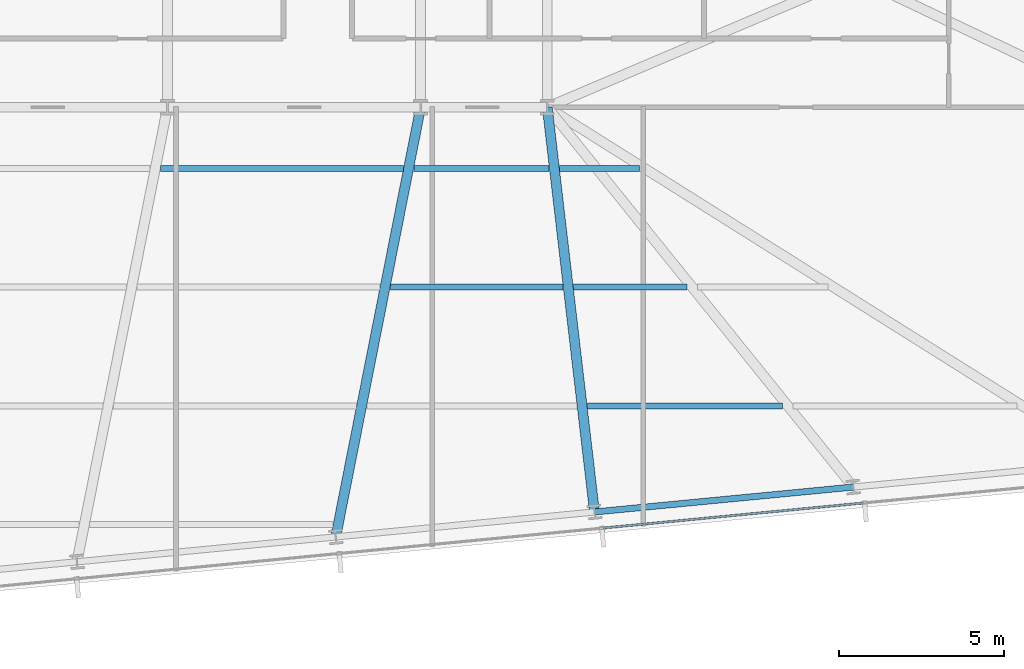
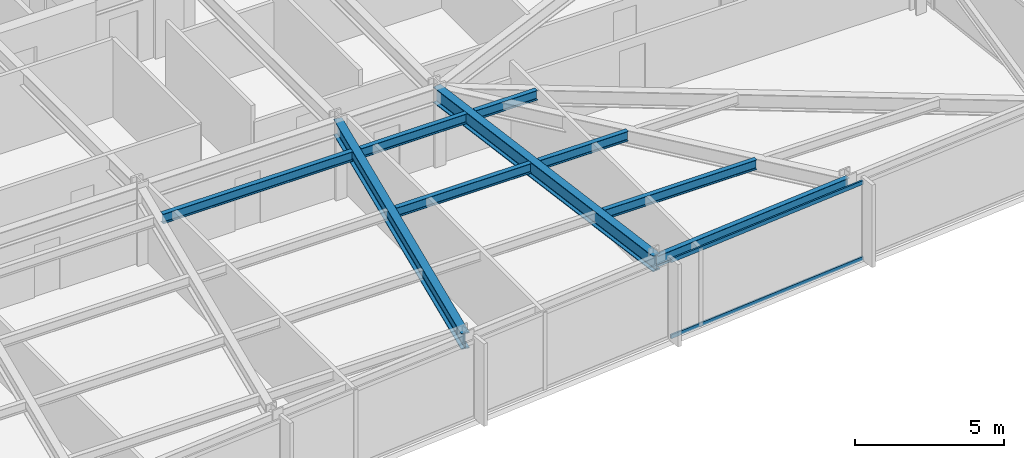
# One storey, part 11 of 32: 9 beams, 2 members, 1 element without a shape of its own.
"""IFC4 building model written with IfcOpenShell, lengths in metres."""

from ifc_helpers import new_model, si_unit, direction, frame, origin, origin_2d, place, context, subcontext, project, spatial, hollow_rectangle, i_section, extrude, material, material_profile, profile_set, type_object, element, aggregate, save


model = new_model("IFC4")

# Units and contexts
model_context = context("Model", 3, precision=1e-05, world=origin(), true_north=direction((0.0, 1.0)))
body_context = subcontext(model_context, "Body", "Model", "MODEL_VIEW")
ifc_project = project(units=[si_unit("LENGTHUNIT", "METRE"), si_unit("AREAUNIT", "SQUARE_METRE"), si_unit("VOLUMEUNIT", "CUBIC_METRE"), si_unit("PLANEANGLEUNIT", "RADIAN"), si_unit("MASSUNIT", "GRAM", prefix="KILO")], contexts=[model_context])

# Site, building, storey
site_placement = place(None, origin())
site = spatial("IfcSite", under=ifc_project, at=site_placement, CompositionType="ELEMENT")
building_placement = place(site_placement, origin())
building = spatial("IfcBuilding", under=site, at=building_placement, Name="Yelkora Congress Tower", CompositionType="ELEMENT")
storey_placement = place(building_placement, frame((0.0, 0.0, 93.10009765625)))
storey = spatial("IfcBuildingStorey", under=building, at=storey_placement, Name="L24", CompositionType="ELEMENT", Elevation=93.10009765625)

# Beams
ifc_material_1 = material(Name="Steel S355J2", Category="steel")
ifc_material_profile_1 = material_profile(ifc_material_1, i_section(OverallWidth=0.300048828125, OverallDepth=0.64990234375, WebThickness=0.01611328125, FlangeThickness=0.031005859375, FilletRadius=0.027099609375, at=origin_2d()), Name="HEB 650")
ifc_profile_set_1 = profile_set([ifc_material_profile_1], Name="Steel S355J2")
beam_type_1 = type_object("IfcBeamType", Name="BM-GIRD-HEB650", PredefinedType="BEAM", material=ifc_profile_set_1)
beam_1_placement = place(storey_placement, frame((51.18359375, 12.16748046875, 2.85498046875), z_axis=(0.193938615251, 0.981013666324, 0.0), x_axis=(-0.981013666324, 0.193938615251, 0.0)))
element("IfcBeam", 1, at=beam_1_placement, inside=storey, type_object=beam_type_1, Name="L24 Primary Frame Girder S05", PredefinedType="BEAM", context=body_context, shape_type="SweptSolid", body=[
    extrude(i_section(OverallWidth=0.300048828125, OverallDepth=0.64990234375, WebThickness=0.01611328125, FlangeThickness=0.031005859375, FilletRadius=0.027099609375, at=origin_2d()), origin(), (0.0, 0.0, 1.0), 13.28466796875),
])
beam_2_placement = place(storey_placement, frame((59.033203125, 12.92333984375, 2.85498046875), z_axis=(-0.115947280821, 0.993255369011, 0.0), x_axis=(-0.993255369011, -0.115947280821, 0.0)))
element("IfcBeam", 2, at=beam_2_placement, inside=storey, type_object=beam_type_1, Name="L24 Primary Frame Girder S06", PredefinedType="BEAM", context=body_context, shape_type="SweptSolid", body=[
    extrude(i_section(OverallWidth=0.300048828125, OverallDepth=0.64990234375, WebThickness=0.01611328125, FlangeThickness=0.031005859375, FilletRadius=0.027099609375, at=origin_2d()), origin(), (0.0, 0.0, 1.0), 12.35986328125),
])
ifc_material_profile_2 = material_profile(ifc_material_1, i_section(OverallWidth=0.179931640625, OverallDepth=0.39990234375, WebThickness=0.008544921875, FlangeThickness=0.013427734375, FilletRadius=0.02099609375, at=origin_2d()), Name="IPE 400")
ifc_profile_set_2 = profile_set([ifc_material_profile_2], Name="Steel S355J2")
beam_type_2 = type_object("IfcBeamType", Name="BM-JOIST-IPE400", PredefinedType="JOIST", material=ifc_profile_set_2)
beam_3_placement = place(storey_placement, frame((58.817138671875, 16.144287109375, 2.97998046875), z_axis=(1.0, 0.0, 0.0), x_axis=(0.0, 1.0, 0.0)))
element("IfcBeam", 3, at=beam_3_placement, inside=storey, type_object=beam_type_2, Name="L24 Composite Floor Joist 9", PredefinedType="JOIST", context=body_context, shape_type="SweptSolid", body=[
    extrude(i_section(OverallWidth=0.179931640625, OverallDepth=0.39990234375, WebThickness=0.008544921875, FlangeThickness=0.013427734375, FilletRadius=0.02099609375, at=origin_2d()), origin(), (0.0, 0.0, 1.0), 5.919189453125),
])
beam_4_placement = place(storey_placement, frame((52.841552734375, 19.744384765625, 2.97998046875), z_axis=(1.0, 0.0, 0.0), x_axis=(0.0, 1.0, 0.0)))
element("IfcBeam", 4, at=beam_4_placement, inside=storey, type_object=beam_type_2, Name="L24 Composite Floor Joist 15", PredefinedType="JOIST", context=body_context, shape_type="SweptSolid", body=[
    extrude(i_section(OverallWidth=0.179931640625, OverallDepth=0.39990234375, WebThickness=0.008544921875, FlangeThickness=0.013427734375, FilletRadius=0.02099609375, at=origin_2d()), origin(), (0.0, 0.0, 1.0), 5.2353515625),
])
beam_5_placement = place(storey_placement, frame((58.39697265625, 19.744384765625, 2.97998046875), z_axis=(1.0, 0.0, 0.0), x_axis=(0.0, 1.0, 0.0)))
element("IfcBeam", 5, at=beam_5_placement, inside=storey, type_object=beam_type_2, Name="L24 Composite Floor Joist 16", PredefinedType="JOIST", context=body_context, shape_type="SweptSolid", body=[
    extrude(i_section(OverallWidth=0.179931640625, OverallDepth=0.39990234375, WebThickness=0.008544921875, FlangeThickness=0.013427734375, FilletRadius=0.02099609375, at=origin_2d()), origin(), (0.0, 0.0, 1.0), 3.438720703125),
])
beam_6_placement = place(storey_placement, frame((45.87060546875, 23.344482421875, 2.97998046875), z_axis=(1.0, 0.0, 0.0), x_axis=(0.0, 1.0, 0.0)))
element("IfcBeam", 6, at=beam_6_placement, inside=storey, type_object=beam_type_2, Name="L24 Composite Floor Joist 21", PredefinedType="JOIST", context=body_context, shape_type="SweptSolid", body=[
    extrude(i_section(OverallWidth=0.179931640625, OverallDepth=0.39990234375, WebThickness=0.008544921875, FlangeThickness=0.013427734375, FilletRadius=0.02099609375, at=origin_2d()), origin(), (0.0, 0.0, 1.0), 7.362548828125),
])
beam_7_placement = place(storey_placement, frame((53.55322265625, 23.344482421875, 2.97998046875), z_axis=(1.0, 0.0, 0.0), x_axis=(0.0, 1.0, 0.0)))
element("IfcBeam", 7, at=beam_7_placement, inside=storey, type_object=beam_type_2, Name="L24 Composite Floor Joist 22", PredefinedType="JOIST", context=body_context, shape_type="SweptSolid", body=[
    extrude(i_section(OverallWidth=0.179931640625, OverallDepth=0.39990234375, WebThickness=0.008544921875, FlangeThickness=0.013427734375, FilletRadius=0.02099609375, at=origin_2d()), origin(), (0.0, 0.0, 1.0), 4.103271484375),
])
beam_8_placement = place(storey_placement, frame((57.9765625, 23.344482421875, 2.97998046875), z_axis=(1.0, 0.0, 0.0), x_axis=(0.0, 1.0, 0.0)))
element("IfcBeam", 8, at=beam_8_placement, inside=storey, type_object=beam_type_2, Name="L24 Composite Floor Joist 23", PredefinedType="JOIST", context=body_context, shape_type="SweptSolid", body=[
    extrude(i_section(OverallWidth=0.179931640625, OverallDepth=0.39990234375, WebThickness=0.008544921875, FlangeThickness=0.013427734375, FilletRadius=0.02099609375, at=origin_2d()), origin(), (0.0, 0.0, 1.0), 2.41650390625),
])
ifc_material_profile_3 = material_profile(ifc_material_1, i_section(OverallWidth=0.18994140625, OverallDepth=0.449951171875, WebThickness=0.009521484375, FlangeThickness=0.0146484375, FilletRadius=0.02099609375, at=origin_2d()), Name="IPE 450")
ifc_profile_set_3 = profile_set([ifc_material_profile_3], Name="Steel S355J2")
beam_type_3 = type_object("IfcBeamType", Name="BM-SPAN-IPE450", PredefinedType="SPANDREL", material=ifc_profile_set_3)
beam_9_placement = place(storey_placement, frame((59.033203125, 12.92333984375, 2.954833984375), z_axis=(0.995395575667, 0.095852219286, 0.0), x_axis=(-0.095852219286, 0.995395575667, 0.0)))
element("IfcBeam", 9, at=beam_9_placement, inside=storey, type_object=beam_type_3, Name="L24 Perimeter Beam 8", PredefinedType="SPANDREL", context=body_context, shape_type="SweptSolid", body=[
    extrude(i_section(OverallWidth=0.18994140625, OverallDepth=0.449951171875, WebThickness=0.009521484375, FlangeThickness=0.0146484375, FilletRadius=0.02099609375, at=origin_2d()), origin(), (0.0, 0.0, 1.0), 7.8857421875),
])

# Curtain wall, members
ifc_material_2 = material(Name="Anodised aluminium and insulated glass", Category="aluminium")
curtain_wall_type = type_object("IfcCurtainWallType", Name="CW-SYS-B2", PredefinedType="NOTDEFINED", material=ifc_material_2)
curtain_wall_placement = place(storey_placement, origin())
curtain_wall = element("IfcCurtainWall", 10, at=curtain_wall_placement, inside=storey, type_object=curtain_wall_type, Name="L24 Unitised Curtain Wall 20", PredefinedType="NOTDEFINED")
ifc_material_3 = material(Name="Anodised aluminium 6063-T6", Category="aluminium")
ifc_material_profile_4 = material_profile(ifc_material_3, hollow_rectangle(XDim=0.06494140625, YDim=0.159912109375, WallThickness=0.00390625, at=origin_2d()), Name="ALU 65x160x4")
ifc_profile_set_4 = profile_set([ifc_material_profile_4], Name="Anodised aluminium 6063-T6")
member_type = type_object("IfcMemberType", Name="MEM-TR-B2", PredefinedType="USERDEFINED", material=ifc_profile_set_4)
member_1_placement = place(storey_placement, frame((67.18798828125, 13.1962890625, 0.032470703125), z_axis=(-0.995397293396, -0.095834379534, 0.0), x_axis=(0.095834379534, -0.995397293396, 0.0)))
member_1 = element("IfcMember", 11, at=member_1_placement, type_object=member_type, Name="CW-B2 transom 2.1", ObjectType="TRANSOM", PredefinedType="USERDEFINED", context=body_context, shape_type="SweptSolid", body=[
    extrude(hollow_rectangle(XDim=0.06494140625, YDim=0.159912109375, WallThickness=0.00390625, at=origin_2d()), origin(), (0.0, 0.0, 1.0), 7.93310546875),
])
member_2_placement = place(storey_placement, frame((67.18798828125, 13.1962890625, 3.1474609375), z_axis=(-0.995397293396, -0.095834379534, 0.0), x_axis=(0.095834379534, -0.995397293396, 0.0)))
member_2 = element("IfcMember", 12, at=member_2_placement, type_object=member_type, Name="CW-B2 transom 2.2", ObjectType="TRANSOM", PredefinedType="USERDEFINED", context=body_context, shape_type="SweptSolid", body=[
    extrude(hollow_rectangle(XDim=0.06494140625, YDim=0.159912109375, WallThickness=0.00390625, at=origin_2d()), origin(), (0.0, 0.0, 1.0), 7.93310546875),
])
aggregate(curtain_wall, [member_1, member_2])

save(model, "model.ifc")
